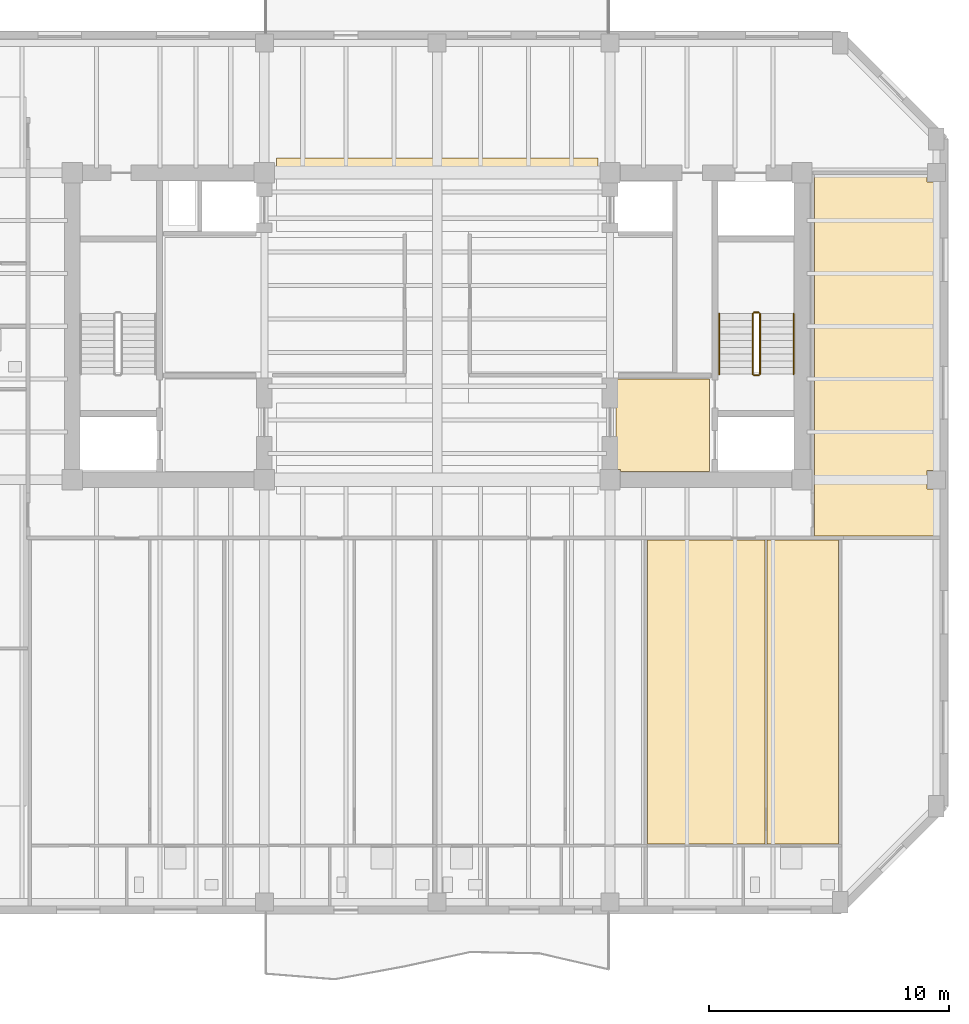
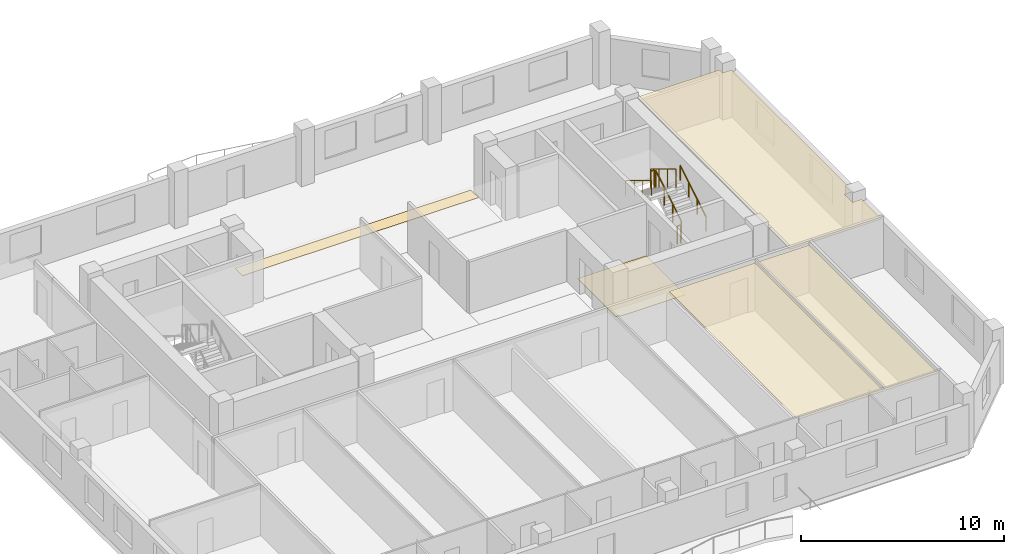
# One storey, part 9 of 11: 6 railings, 5 coverings.
"""IFC4 building model written with IfcOpenShell, lengths in metres."""

from ifc_helpers import new_model, si_unit, direction, frame, origin, origin_2d, place, context, subcontext, project, spatial, polyline, circle, outline, extrude, material, layer, layer_set, type_object, element, save


model = new_model("IFC4")

# Units and contexts
model_context = context("Model", 3, precision=1e-05, world=origin(), true_north=direction((0.0, 1.0)))
body_context = subcontext(model_context, "Body", "Model", "MODEL_VIEW")
ifc_project = project(units=[si_unit("LENGTHUNIT", "METRE"), si_unit("AREAUNIT", "SQUARE_METRE"), si_unit("VOLUMEUNIT", "CUBIC_METRE"), si_unit("PLANEANGLEUNIT", "RADIAN"), si_unit("MASSUNIT", "GRAM", prefix="KILO")], contexts=[model_context])

# Site, building, storey
site_placement = place(None, origin())
site = spatial("IfcSite", under=ifc_project, at=site_placement, CompositionType="ELEMENT")
building_placement = place(site_placement, origin())
building = spatial("IfcBuilding", under=site, at=building_placement, Name="Kranthara Brick Stack", CompositionType="ELEMENT")
storey_placement = place(building_placement, frame((0.0, 0.0, 217.699951171875)))
storey = spatial("IfcBuildingStorey", under=building, at=storey_placement, Name="L56", CompositionType="ELEMENT", Elevation=217.699951171875)

# Coverings
ifc_material_1 = material(Name="Perforated mineral-fibre acoustic ceiling tile", Category="other")
ifc_layer_1 = layer(ifc_material_1, 0.02490234375)
ifc_layer_set_1 = layer_set([ifc_layer_1], Name="Perforated mineral-fibre acoustic ceiling tile")
covering_type_1 = type_object("IfcCoveringType", Name="COV-CEIL-ACOUSTIC", PredefinedType="CEILING", material=ifc_layer_set_1)
covering_1_placement = place(storey_placement, frame((0.0, 0.0, 2.830078125)))
element("IfcCovering", 1, at=covering_1_placement, inside=storey, type_object=covering_type_1, Name="L56 Unit L56D Studio Apartment Living Acoustic Ceiling", PredefinedType="CEILING", context=body_context, shape_type="SweptSolid", body=[
    extrude(outline(polyline([(41.64990234375, 5.6298828125), (41.64990234375, 18.300048828125), (36.77294921875, 18.300048828125), (36.77294921875, 5.6298828125), (41.64990234375, 5.6298828125)])), origin(), (0.0, 0.0, 1.0), 0.02490234375),
])
covering_2_placement = place(storey_placement, frame((0.0, 0.0, 2.830078125)))
element("IfcCovering", 2, at=covering_2_placement, inside=storey, type_object=covering_type_1, Name="L56 Unit L56D Private Study Room Acoustic Ceiling", PredefinedType="CEILING", context=body_context, shape_type="SweptSolid", body=[
    extrude(outline(polyline([(44.719970703125, 5.6298828125), (44.719970703125, 18.300048828125), (41.75, 18.300048828125), (41.75, 5.6298828125), (44.719970703125, 5.6298828125)])), origin(), (0.0, 0.0, 1.0), 0.02490234375),
])
covering_3_placement = place(storey_placement, frame((0.0, 0.0, 2.830078125)))
element("IfcCovering", 3, at=covering_3_placement, inside=storey, type_object=covering_type_1, Name="L56 L56 East Panoramic Sky Conservatory Acoustic Ceiling", PredefinedType="CEILING", context=body_context, shape_type="SweptSolid", body=[
    extrude(outline(polyline([(43.72998046875, 18.4599609375), (43.72998046875, 33.52001953125), (48.4150390625, 33.52001953125), (48.4150390625, 33.215087890625), (48.929931640625, 33.215087890625), (48.929931640625, 21.18505859375), (48.4150390625, 21.18505859375), (48.4150390625, 20.4150390625), (48.929931640625, 20.4150390625), (48.929931640625, 18.4599609375), (43.72998046875, 18.4599609375)])), origin(), (0.0, 0.0, 1.0), 0.02490234375),
])
ifc_material_2 = material(Name="Honed terrazzo and porcelain floor finish", Category="stone")
ifc_layer_2 = layer(ifc_material_2, 0.030029296875)
ifc_layer_set_2 = layer_set([ifc_layer_2], Name="Honed terrazzo and porcelain floor finish")
covering_type_2 = type_object("IfcCoveringType", Name="COV-FLOR-STONE", PredefinedType="FLOORING", material=ifc_layer_set_2)
covering_4_placement = place(storey_placement, origin())
element("IfcCovering", 4, at=covering_4_placement, inside=storey, type_object=covering_type_2, Name="L56 Lift Lobby Stone Flooring", PredefinedType="FLOORING", context=body_context, shape_type="SweptSolid", body=[
    extrude(outline(polyline([(35.449951171875, 25.0), (39.35009765625, 25.0), (39.35009765625, 21.14990234375), (35.635009765625, 21.14990234375), (35.635009765625, 21.235107421875), (35.449951171875, 21.235107421875), (35.449951171875, 25.0)])), origin(), (0.0, 0.0, 1.0), 0.030029296875),
])
covering_5_placement = place(storey_placement, origin())
element("IfcCovering", 5, at=covering_5_placement, inside=storey, type_object=covering_type_2, Name="L56 Lift Lobby Stone Flooring", PredefinedType="FLOORING", context=body_context, shape_type="SweptSolid", body=[
    extrude(outline(polyline([(34.699951171875, 33.449951171875), (21.300048828125, 33.449951171875), (21.300048828125, 34.199951171875), (34.699951171875, 34.199951171875), (34.699951171875, 33.449951171875)])), origin(), (0.0, 0.0, 1.0), 0.030029296875),
])

# Railings
ifc_material_3 = material(Name="Painted galvanized steel stair guardrail", Category="steel")
railing_type_1 = type_object("IfcRailingType", Name="RL-STAIR-GUARD-1100", PredefinedType="GUARDRAIL", material=ifc_material_3)
railing_1_placement = place(storey_placement, frame((41.449951171875, 25.199951171875, 0.170166015625)))
element("IfcRailing", 6, at=railing_1_placement, inside=storey, type_object=railing_type_1, Name="L56 ST02 stair guard 1", PredefinedType="GUARDRAIL", context=body_context, shape_type="SweptSolid", body=[
    extrude(circle(Radius=0.02392578125, at=origin_2d()), frame((0.0, 0.0, 1.076171875), z_axis=(0.0, 0.854821627497, 0.518921945155), x_axis=(-1.0, 0.0, 0.0)), (0.0, 0.0, 1.0), 2.947998046875),
    extrude(circle(Radius=0.02099609375, at=origin_2d()), origin(), (0.0, 0.0, 1.0), 1.052001953125),
    extrude(circle(Radius=0.02099609375, at=origin_2d()), frame((0.0, 0.840087890625, 0.510009765625)), (0.0, 0.0, 1.0), 1.052001953125),
    extrude(circle(Radius=0.02099609375, at=origin_2d()), frame((0.0, 1.679931640625, 1.019775390625)), (0.0, 0.0, 1.0), 1.052001953125),
    extrude(circle(Radius=0.02099609375, at=origin_2d()), frame((0.0, 2.52001953125, 1.52978515625)), (0.0, 0.0, 1.0), 1.052001953125),
])
railing_2_placement = place(storey_placement, frame((41.39990234375, 27.77001953125, 1.699951171875)))
element("IfcRailing", 7, at=railing_2_placement, inside=storey, type_object=railing_type_1, Name="L56 ST02 stair guard 2", PredefinedType="GUARDRAIL", context=body_context, shape_type="SweptSolid", body=[
    extrude(circle(Radius=0.02392578125, at=origin_2d()), frame((0.0, 0.0, 1.076171875), z_axis=(-1.0, 0.0, 0.0), x_axis=(0.0, -1.0, 0.0)), (0.0, 0.0, 1.0), 0.199951171875),
    extrude(circle(Radius=0.02099609375, at=origin_2d()), origin(), (0.0, 0.0, 1.0), 1.052001953125),
    extrude(circle(Radius=0.02099609375, at=origin_2d()), frame((-0.199951171875, 0.0, 0.0)), (0.0, 0.0, 1.0), 1.052001953125),
])
railing_3_placement = place(storey_placement, frame((41.14990234375, 27.719970703125, 1.8701171875)))
element("IfcRailing", 8, at=railing_3_placement, inside=storey, type_object=railing_type_1, Name="L56 ST02 stair guard 3", PredefinedType="GUARDRAIL", context=body_context, shape_type="SweptSolid", body=[
    extrude(circle(Radius=0.02392578125, at=origin_2d()), frame((0.0, 0.0, 1.076171875), z_axis=(0.0, -0.85478489116, 0.518982456201), x_axis=(1.0, 0.0, 0.0)), (0.0, 0.0, 1.0), 2.9482421875),
    extrude(circle(Radius=0.02099609375, at=origin_2d()), origin(), (0.0, 0.0, 1.0), 1.052001953125),
    extrude(circle(Radius=0.02099609375, at=origin_2d()), frame((0.0, -0.840087890625, 0.510009765625)), (0.0, 0.0, 1.0), 1.052001953125),
    extrude(circle(Radius=0.02099609375, at=origin_2d()), frame((0.0, -1.679931640625, 1.02001953125)), (0.0, 0.0, 1.0), 1.052001953125),
    extrude(circle(Radius=0.02099609375, at=origin_2d()), frame((0.0, -2.52001953125, 1.530029296875)), (0.0, 0.0, 1.0), 1.052001953125),
])
railing_4_placement = place(storey_placement, frame((41.39990234375, 25.14990234375, 0.0)))
element("IfcRailing", 9, at=railing_4_placement, inside=storey, type_object=railing_type_1, Name="L56 ST02 stair guard 4", PredefinedType="GUARDRAIL", context=body_context, shape_type="SweptSolid", body=[
    extrude(circle(Radius=0.02392578125, at=origin_2d()), frame((0.0, 0.0, 1.076171875), z_axis=(-1.0, 0.0, 0.0), x_axis=(0.0, -1.0, 0.0)), (0.0, 0.0, 1.0), 0.199951171875),
    extrude(circle(Radius=0.02099609375, at=origin_2d()), origin(), (0.0, 0.0, 1.0), 1.052001953125),
    extrude(circle(Radius=0.02099609375, at=origin_2d()), frame((-0.199951171875, 0.0, 0.0)), (0.0, 0.0, 1.0), 1.052001953125),
])
ifc_material_4 = material(Name="Brushed stainless steel tubular handrail", Category="steel")
railing_type_2 = type_object("IfcRailingType", Name="RL-STAIR-HAND-900", PredefinedType="HANDRAIL", material=ifc_material_4)
railing_5_placement = place(storey_placement, frame((42.85009765625, 25.199951171875, 0.170166015625)))
element("IfcRailing", 10, at=railing_5_placement, inside=storey, type_object=railing_type_2, Name="L56 ST02 stair handrail 1", PredefinedType="HANDRAIL", context=body_context, shape_type="SweptSolid", body=[
    extrude(circle(Radius=0.02392578125, at=origin_2d()), frame((0.0, 0.0, 0.8759765625), z_axis=(0.0, 0.854821627497, 0.518921945155), x_axis=(-1.0, 0.0, 0.0)), (0.0, 0.0, 1.0), 2.947998046875),
    extrude(circle(Radius=0.02099609375, at=origin_2d()), origin(), (0.0, 0.0, 1.0), 0.851806640625),
    extrude(circle(Radius=0.02099609375, at=origin_2d()), frame((0.0, 0.840087890625, 0.510009765625)), (0.0, 0.0, 1.0), 0.851806640625),
    extrude(circle(Radius=0.02099609375, at=origin_2d()), frame((0.0, 1.679931640625, 1.019775390625)), (0.0, 0.0, 1.0), 0.851806640625),
    extrude(circle(Radius=0.02099609375, at=origin_2d()), frame((0.0, 2.52001953125, 1.52978515625)), (0.0, 0.0, 1.0), 0.851806640625),
])
railing_6_placement = place(storey_placement, frame((39.75, 27.719970703125, 1.8701171875)))
element("IfcRailing", 11, at=railing_6_placement, inside=storey, type_object=railing_type_2, Name="L56 ST02 stair handrail 2", PredefinedType="HANDRAIL", context=body_context, shape_type="SweptSolid", body=[
    extrude(circle(Radius=0.02392578125, at=origin_2d()), frame((0.0, 0.0, 0.8759765625), z_axis=(0.0, -0.85478489116, 0.518982456201), x_axis=(1.0, 0.0, 0.0)), (0.0, 0.0, 1.0), 2.9482421875),
    extrude(circle(Radius=0.02099609375, at=origin_2d()), origin(), (0.0, 0.0, 1.0), 0.851806640625),
    extrude(circle(Radius=0.02099609375, at=origin_2d()), frame((0.0, -0.840087890625, 0.510009765625)), (0.0, 0.0, 1.0), 0.851806640625),
    extrude(circle(Radius=0.02099609375, at=origin_2d()), frame((0.0, -1.679931640625, 1.02001953125)), (0.0, 0.0, 1.0), 0.851806640625),
    extrude(circle(Radius=0.02099609375, at=origin_2d()), frame((0.0, -2.52001953125, 1.530029296875)), (0.0, 0.0, 1.0), 0.851806640625),
])

save(model, "model.ifc")
